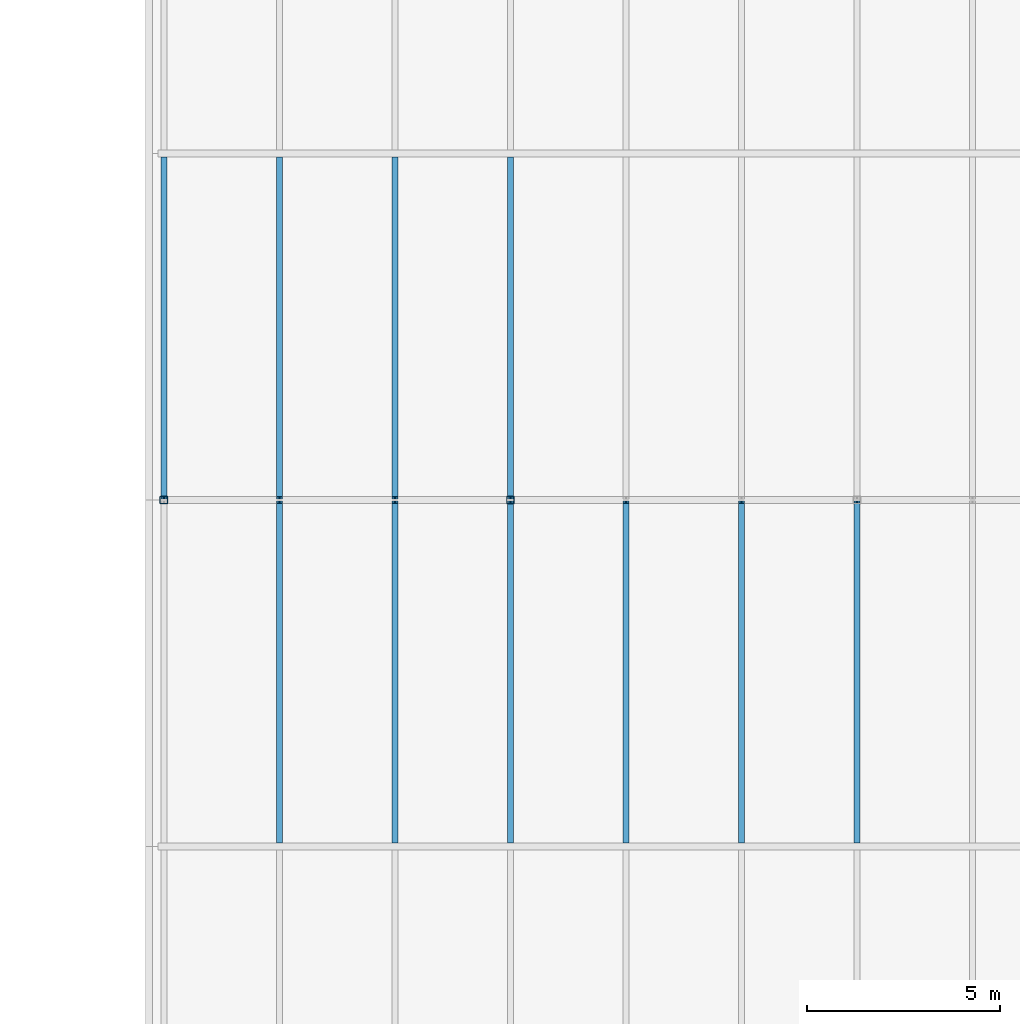
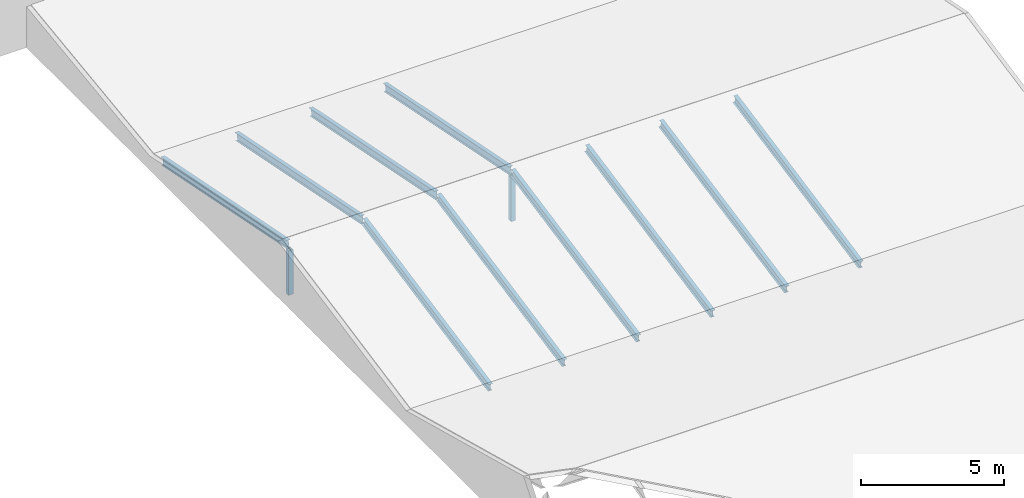
# One storey, part 14 of 29: 12 members.
"""IFC4 building model written with IfcOpenShell, lengths in metres."""

import ifcopenshell
import ifcopenshell.guid

model = None  # the IFC model being written
_history = None  # IfcOwnerHistory: only IFC2X3 demands one
_inside = {}  # id of a spatial element -> (the spatial element, [elements in it])
_under = {}  # id of a project, library or spatial element -> (it, [spatial elements below it])
_declared = {}  # id of a project -> (the project, [libraries it declares])
_typed = {}  # id of a type object -> (the type object, [elements of that type])
_made_of = {}  # id of a material, layer set ... -> (it, [elements and type objects made of it])


def new_model(schema):
    """Start an empty IFC model of exactly this schema.

    Asked for "IFC4X3", IfcOpenShell would pick the latest addendum, in which some entities
    have other attributes; the version numbers below select the first issue.
    IFC2X3 requires an IfcOwnerHistory on every rooted entity: one is made here for all.
    """
    global model, _history
    if schema == "IFC4X3":
        model = ifcopenshell.file(schema_version=(4, 3, 0, 0))
    else:
        model = ifcopenshell.file(schema=schema)
    _inside.clear()
    _under.clear()
    _declared.clear()
    _typed.clear()
    _made_of.clear()
    _history = None
    if model.schema == "IFC2X3":
        org = make("IfcOrganization", Name="unknown")
        user = make(
            "IfcPersonAndOrganization",
            ThePerson=make("IfcPerson", FamilyName="unknown"),
            TheOrganization=org,
        )
        app = make(
            "IfcApplication",
            ApplicationDeveloper=org,
            Version="unknown",
            ApplicationFullName="unknown",
            ApplicationIdentifier="unknown",
        )
        _history = make(
            "IfcOwnerHistory",
            OwningUser=user,
            OwningApplication=app,
            ChangeAction="ADDED",
            CreationDate=0,
        )
    return model


def make(cls, **values):
    """One entity of the class cls with the attributes given. An attribute that is None is left unset."""
    return model.create_entity(
        cls, **{name: value for name, value in values.items() if value is not None}
    )


def rooted(cls, **values):
    """An entity with a GlobalId (a new one), such as an element, a storey or a relation."""
    return make(cls, GlobalId=ifcopenshell.guid.new(), OwnerHistory=_history, **values)


def si_unit(unit_type, name, prefix=None):
    """IfcSIUnit, for example si_unit("LENGTHUNIT", "METRE", prefix="MILLI")."""
    return make("IfcSIUnit", UnitType=unit_type, Prefix=prefix, Name=name)


def assignment(units):
    """IfcUnitAssignment: the units of a project."""
    return None if units is None else make("IfcUnitAssignment", Units=units)


def point(xyz):
    """IfcCartesianPoint."""
    return None if xyz is None else make("IfcCartesianPoint", Coordinates=xyz)


def direction(xyz):
    """IfcDirection."""
    return None if xyz is None else make("IfcDirection", DirectionRatios=xyz)


def frame(location, z_axis=None, x_axis=None):
    """IfcAxis2Placement3D, a coordinate frame: its origin and axes. An axis left out is left unset."""
    return make(
        "IfcAxis2Placement3D",
        Location=point(location),
        Axis=direction(z_axis),
        RefDirection=direction(x_axis),
    )


def frame_2d(location, x_axis=None):
    """IfcAxis2Placement2D, a coordinate frame in the plane: its origin and x axis."""
    return make(
        "IfcAxis2Placement2D", Location=point(location), RefDirection=direction(x_axis)
    )


def origin():
    """The frame at (0, 0, 0) with its axes left unset."""
    return frame((0.0, 0.0, 0.0))


def origin_2d():
    """The frame at (0, 0) in the plane with its x axis left unset."""
    return frame_2d((0.0, 0.0))


def place(relative_to, where):
    """IfcLocalPlacement: puts the frame where relative to a parent placement (None: the world)."""
    return make(
        "IfcLocalPlacement", PlacementRelTo=relative_to, RelativePlacement=where
    )


def context(
    kind, dimensions, precision=None, world=None, true_north=None, identifier=None
):
    """IfcGeometricRepresentationContext, for example the 3D "Model" context."""
    return make(
        "IfcGeometricRepresentationContext",
        ContextIdentifier=identifier,
        ContextType=kind,
        CoordinateSpaceDimension=dimensions,
        Precision=precision,
        WorldCoordinateSystem=world,
        TrueNorth=true_north,
    )


def subcontext(parent, identifier, kind, view, scale=None):
    """IfcGeometricRepresentationSubContext, for example "Body" below "Model"."""
    return make(
        "IfcGeometricRepresentationSubContext",
        ContextIdentifier=identifier,
        ContextType=kind,
        ParentContext=parent,
        TargetScale=scale,
        TargetView=view,
    )


def project(units=None, contexts=None):
    """IfcProject with its units and contexts."""
    return rooted(
        "IfcProject",
        Name="project",
        RepresentationContexts=contexts,
        UnitsInContext=assignment(units),
    )


def spatial(cls, under=None, at=None, **own):
    """A site, building, storey or space (cls), placed at a placement, below another one or the project."""
    s = rooted(cls, ObjectPlacement=at, **own)
    if under is not None:
        _under.setdefault(under.id(), (under, []))[1].append(s)
    return s


def profile(cls, at=None, kind="AREA", **sizes):
    """A parametric profile (cls). Its sizes go by their IFC names, for example OverallWidth=200.0."""
    return make(cls, ProfileType=kind, Position=at, **sizes)


def hollow_rectangle(**sizes):
    """IfcRectangleHollowProfileDef."""
    return profile("IfcRectangleHollowProfileDef", **sizes)


def i_section(**sizes):
    """IfcIShapeProfileDef."""
    return profile("IfcIShapeProfileDef", **sizes)


def extrude(swept, where, along, depth):
    """IfcExtrudedAreaSolid: the profile swept, set in the frame where, extruded along a direction by depth."""
    return make(
        "IfcExtrudedAreaSolid",
        SweptArea=swept,
        Position=where,
        ExtrudedDirection=direction(along),
        Depth=depth,
    )


def shape(context_of_items, identifier, shape_type, items):
    """IfcShapeRepresentation: the items that make up one representation, for example the "Body"."""
    return make(
        "IfcShapeRepresentation",
        ContextOfItems=context_of_items,
        RepresentationIdentifier=identifier,
        RepresentationType=shape_type,
        Items=items,
    )


def material(Name=None, Category=None):
    """IfcMaterial."""
    return make("IfcMaterial", Name=Name, Category=Category)


def material_profile(
    of_material, cross_section, Name=None, Category=None, Priority=None
):
    """IfcMaterialProfile: a cross section and its material."""
    return make(
        "IfcMaterialProfile",
        Name=Name,
        Material=of_material,
        Profile=cross_section,
        Priority=Priority,
        Category=Category,
    )


def profile_set(profiles, Name=None, composite=None):
    """IfcMaterialProfileSet."""
    return make(
        "IfcMaterialProfileSet",
        Name=Name,
        MaterialProfiles=profiles,
        CompositeProfile=composite,
    )


def made_of(thing, what):
    """Note that an element or type object is made of a material, layer set ...; save() writes the relation."""
    if what is not None:
        _made_of.setdefault(what.id(), (what, []))[1].append(thing)
    return thing


def type_object(cls, material=None, **own):
    """A type object (cls), such as IfcWallType, which elements share."""
    return made_of(rooted(cls, **own), material)


def element(
    cls,
    number,
    at=None,
    inside=None,
    cuts=None,
    type_object=None,
    material=None,
    context=None,
    identifier="Body",
    shape_type=None,
    held_by="IfcProductDefinitionShape",
    body=None,
    shapes=None,
    **own,
):
    """One element of the class cls, such as IfcWall. Its Tag is "e" and its number.

    at: its placement. inside: the storey or other place that contains it. cuts: it is an
    opening in that element (IfcRelVoidsElement). A single representation is given by context,
    identifier, shape_type and body (its items); several are given by shapes. held_by: the class
    of the entity that holds the representations. save() writes the other relations.
    """
    e = rooted(cls, Tag="e%d" % number, ObjectPlacement=at, **own)
    if body is not None:
        shapes = [shape(context, identifier, shape_type, body)]
    if shapes is not None:
        e.Representation = make(held_by, Representations=shapes)
    if inside is not None:
        _inside.setdefault(inside.id(), (inside, []))[1].append(e)
    if cuts is not None:
        rooted(
            "IfcRelVoidsElement", RelatingBuildingElement=cuts, RelatedOpeningElement=e
        )
    if type_object is not None:
        _typed.setdefault(type_object.id(), (type_object, []))[1].append(e)
    return made_of(e, material)


def aggregate(whole, parts):
    """IfcRelAggregates: a whole, such as a stair, and the parts it consists of."""
    return rooted("IfcRelAggregates", RelatingObject=whole, RelatedObjects=parts)


def save(model, path):
    """Write the relations noted so far, then the file.

    IfcRelAggregates (storeys below a building ...), IfcRelContainedInSpatialStructure (elements
    in a storey), IfcRelDefinesByType, IfcRelAssociatesMaterial and IfcRelDeclares: one each for
    every whole, place, type object, material and project.
    """
    for whole, parts in _under.values():
        aggregate(whole, parts)
    for where, things in _inside.values():
        rooted(
            "IfcRelContainedInSpatialStructure",
            RelatedElements=things,
            RelatingStructure=where,
        )
    for kind, things in _typed.values():
        rooted("IfcRelDefinesByType", RelatedObjects=things, RelatingType=kind)
    for what, things in _made_of.values():
        rooted("IfcRelAssociatesMaterial", RelatedObjects=things, RelatingMaterial=what)
    for by, libraries in _declared.values():
        rooted("IfcRelDeclares", RelatingContext=by, RelatedDefinitions=libraries)
    model.write(path)


model = new_model("IFC4")

# Units and contexts
model_context = context("Model", 3, precision=1e-05, world=origin(), true_north=direction((0.0, 1.0)))
body_context = subcontext(model_context, "Body", "Model", "MODEL_VIEW")
ifc_project = project(units=[si_unit("LENGTHUNIT", "METRE"), si_unit("AREAUNIT", "SQUARE_METRE"), si_unit("VOLUMEUNIT", "CUBIC_METRE"), si_unit("PLANEANGLEUNIT", "RADIAN"), si_unit("MASSUNIT", "GRAM", prefix="KILO")], contexts=[model_context])

# Site, building, storey
site_placement = place(None, origin())
site = spatial("IfcSite", under=ifc_project, at=site_placement, CompositionType="ELEMENT")
building_placement = place(site_placement, origin())
building = spatial("IfcBuilding", under=site, at=building_placement, Name="Azimuth Sports and Learning Centre", CompositionType="ELEMENT")
storey_placement = place(building_placement, frame((0.0, 0.0, 27.0)))
storey = spatial("IfcBuildingStorey", under=building, at=storey_placement, Name="L05", CompositionType="ELEMENT", Elevation=27.0)

# Members
ifc_material_1 = material(Name="Steel S355", Category="steel")
ifc_material_profile_1 = material_profile(ifc_material_1, i_section(OverallWidth=0.159912109375, OverallDepth=0.330078125, WebThickness=0.007568359375, FlangeThickness=0.011474609375, FilletRadius=0.01806640625, at=origin_2d()), Name="IPE 330")
ifc_profile_set_1 = profile_set([ifc_material_profile_1], Name="Steel S355")
member_type_1 = type_object("IfcMemberType", Name="Rafter IPE 330", PredefinedType="RAFTER", material=ifc_profile_set_1)
for number, where, z_axis, x_axis, name in (
    (1, (75.0, 63.12744140625, 0.30419921875), (0.0, 0.980581719653, 0.196110915255), (-1.0, 0.0, 0.0), "Rafter FOLD08 72"),
    (2, (78.0, 63.12744140625, 0.30419921875), (0.0, 0.980581719653, 0.196110915255), (-1.0, 0.0, 0.0), "Rafter FOLD08 73"),
    (3, (81.0, 63.12744140625, 0.30419921875), (0.0, 0.980581719653, 0.196110915255), (-1.0, 0.0, 0.0), "Rafter FOLD08 74"),
    (4, (84.0, 63.12744140625, 0.30419921875), (0.0, 0.980581719653, 0.196110915255), (-1.0, 0.0, 0.0), "Rafter FOLD08 75"),
    (5, (87.0, 63.12744140625, 0.30419921875), (0.0, 0.980581719653, 0.196110915255), (-1.0, 0.0, 0.0), "Rafter FOLD08 76"),
    (6, (90.0, 63.12744140625, 0.30419921875), (0.0, 0.980581719653, 0.196110915255), (-1.0, 0.0, 0.0), "Rafter FOLD08 77"),
    (7, (72.0, 72.052734375, 2.068115234375), (0.0, 0.980581719653, -0.196110915255), (-1.0, 0.0, 0.0), "Rafter FOLD09 81"),
    (8, (75.0, 72.052734375, 2.068115234375), (0.0, 0.980581719653, -0.196110915255), (-1.0, 0.0, 0.0), "Rafter FOLD09 82"),
    (9, (78.0, 72.052734375, 2.068115234375), (0.0, 0.980581719653, -0.196110915255), (-1.0, 0.0, 0.0), "Rafter FOLD09 83"),
    (10, (81.0, 72.052734375, 2.068115234375), (0.0, 0.980581719653, -0.196110915255), (-1.0, 0.0, 0.0), "Rafter FOLD09 84"),
):
    element("IfcMember", number, at=place(storey_placement, frame(where, z_axis=z_axis, x_axis=x_axis)), inside=storey, type_object=member_type_1, Name=name, PredefinedType="RAFTER", context=body_context, shape_type="SweptSolid", body=[
        extrude(i_section(OverallWidth=0.159912109375, OverallDepth=0.330078125, WebThickness=0.007568359375, FlangeThickness=0.011474609375, FilletRadius=0.01806640625, at=origin_2d()), origin(), (0.0, 0.0, 1.0), 8.994384765625),
    ])
ifc_material_2 = material(Name="Steel S355", Category="steel")
ifc_material_profile_2 = material_profile(ifc_material_2, hollow_rectangle(XDim=0.199951171875, YDim=0.199951171875, WallThickness=0.010009765625, InnerFilletRadius=0.010009765625, OuterFilletRadius=0.014892578125, at=origin_2d()), Name="SHS 200x200x10.0")
ifc_profile_set_2 = profile_set([ifc_material_profile_2], Name="Steel S355")
member_type_2 = type_object("IfcMemberType", Name="Truss post SHS 200x200x10.0", PredefinedType="POST", material=ifc_profile_set_2)
for number, where, z_axis, x_axis, name in (
    (11, (72.0, 72.0, 0.0), (0.0, 0.0, 1.0), (1.0, 0.0, 0.0), "Ridge post 9J"),
    (12, (81.0, 72.0, 0.0), (0.0, 0.0, 1.0), (1.0, 0.0, 0.0), "Ridge post 10J"),
):
    element("IfcMember", number, at=place(storey_placement, frame(where, z_axis=z_axis, x_axis=x_axis)), inside=storey, type_object=member_type_2, Name=name, PredefinedType="POST", context=body_context, shape_type="SweptSolid", body=[
        extrude(hollow_rectangle(XDim=0.199951171875, YDim=0.199951171875, WallThickness=0.010009765625, InnerFilletRadius=0.010009765625, OuterFilletRadius=0.014892578125, at=origin_2d()), origin(), (0.0, 0.0, 1.0), 1.886962890625),
    ])

save(model, "model.ifc")
